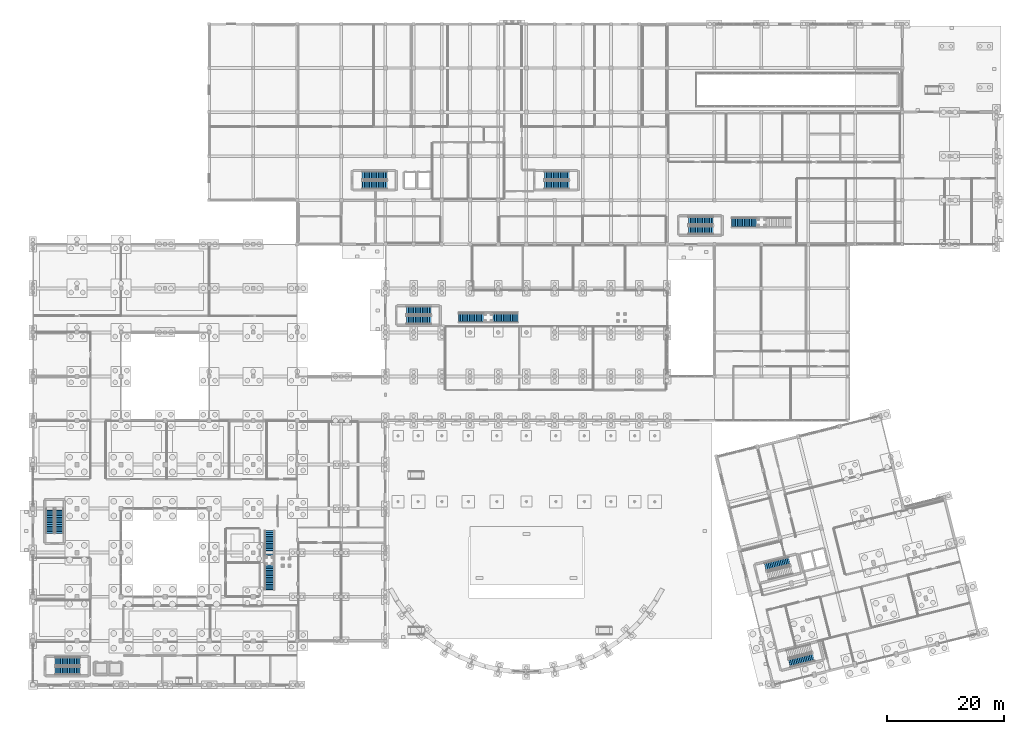
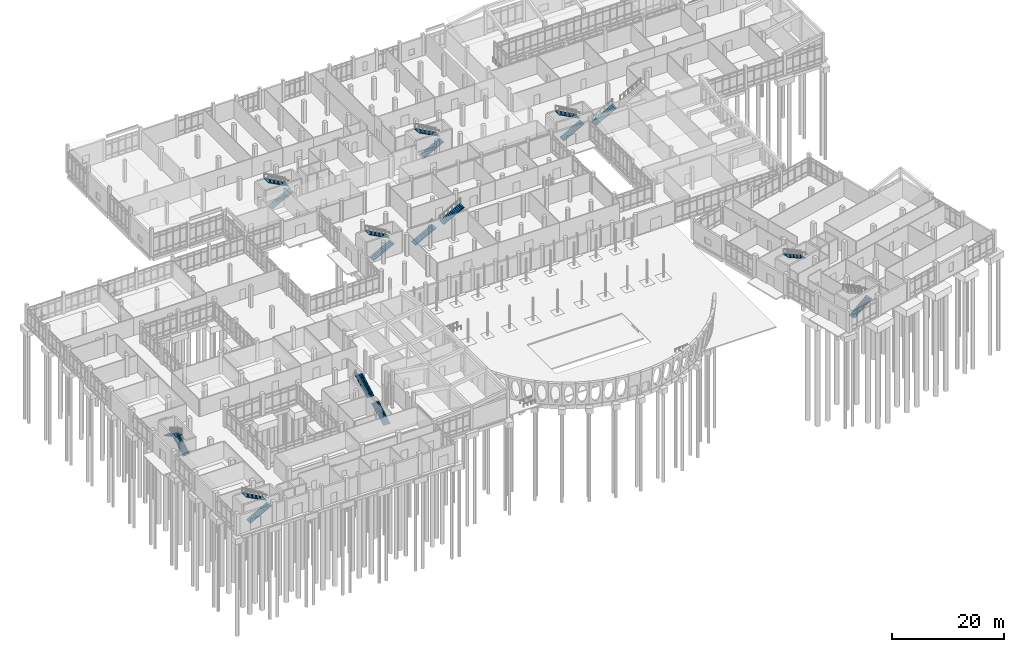
# One storey, part 161 of 173: 19 stair flights, 11 elements without a shape of their own.
"""IFC4 building model written with IfcOpenShell, lengths in metres."""

from ifc_helpers import new_model, si_unit, direction, frame, origin, place, context, subcontext, project, spatial, polyline, outline, extrude, material, layer, layer_set, type_object, element, aggregate, save


model = new_model("IFC4")

# Units and contexts
model_context = context("Model", 3, precision=1e-05, world=origin(), true_north=direction((0.0, 1.0)))
body_context = subcontext(model_context, "Body", "Model", "MODEL_VIEW")
ifc_project = project(units=[si_unit("LENGTHUNIT", "METRE"), si_unit("AREAUNIT", "SQUARE_METRE"), si_unit("VOLUMEUNIT", "CUBIC_METRE"), si_unit("PLANEANGLEUNIT", "RADIAN"), si_unit("MASSUNIT", "GRAM", prefix="KILO")], contexts=[model_context])

# Site, building, storey
site_placement = place(None, origin())
site = spatial("IfcSite", under=ifc_project, at=site_placement, CompositionType="ELEMENT")
building_placement = place(site_placement, origin())
building = spatial("IfcBuilding", under=site, at=building_placement, Name="Mawjan Specialist Oncology Clinic", CompositionType="ELEMENT")
storey_placement = place(building_placement, origin())
storey = spatial("IfcBuildingStorey", under=building, at=storey_placement, Name="L00", CompositionType="ELEMENT", Elevation=0.0)

# Stair, stair flights
ifc_material_1 = material(Name="Concrete C35/45", Category="concrete")
stair_type_1 = type_object("IfcStairType", Name="STR-COMM", PredefinedType="STRAIGHT_RUN_STAIR", material=ifc_material_1)
stair_1_placement = place(storey_placement, origin())
stair_1 = element("IfcStair", 1, at=stair_1_placement, inside=storey, type_object=stair_type_1, Name="Infusion Hall Communicating Stair ST-09", PredefinedType="STRAIGHT_RUN_STAIR")
ifc_material_2 = material(Name="Concrete C35/45", Category="concrete")
ifc_layer_1 = layer(ifc_material_2, 0.159912109375, Name="Concrete C35/45", Category="concrete")
ifc_layer_set_1 = layer_set([ifc_layer_1], Name="Concrete C35/45")
stair_flight_type_1 = type_object("IfcStairFlightType", Name="FLT-COMM", PredefinedType="STRAIGHT", material=ifc_layer_set_1)
stair_flight_1_placement = place(storey_placement, frame((72.5, 63.35009765625, 0.0), z_axis=(0.0, 0.0, 1.0), x_axis=(1.0, 0.0, 0.0)))
stair_flight_1 = element("IfcStairFlight", 2, at=stair_flight_1_placement, type_object=stair_flight_type_1, Name="ST-09 flight 1", NumberOfRisers=15, NumberOfTreads=14, PredefinedType="STRAIGHT", RiserHeight=0.166667, TreadLength=0.3, context=body_context, shape_type="SweptSolid", body=[
    extrude(outline(polyline([(-0.044921875, -0.0400390625), (-0.044921875, 0.0), (0.0, 0.0), (0.0, 0.166748046875), (0.300048828125, 0.166748046875), (0.300048828125, 0.333251953125), (0.60009765625, 0.333251953125), (0.60009765625, 0.5), (0.89990234375, 0.5), (0.89990234375, 0.666748046875), (1.199951171875, 0.666748046875), (1.199951171875, 0.833251953125), (1.5, 0.833251953125), (1.5, 1.0), (1.800048828125, 1.0), (1.800048828125, 1.166748046875), (2.10009765625, 1.166748046875), (2.10009765625, 1.333251953125), (2.39990234375, 1.333251953125), (2.39990234375, 1.5), (2.699951171875, 1.5), (2.699951171875, 1.666748046875), (3.0, 1.666748046875), (3.0, 1.833251953125), (3.300048828125, 1.833251953125), (3.300048828125, 2.0), (3.60009765625, 2.0), (3.60009765625, 2.166748046875), (3.89990234375, 2.166748046875), (3.89990234375, 2.333251953125), (4.199951171875, 2.333251953125), (4.2451171875, 2.333251953125), (4.2451171875, 2.17333984375), (0.044921875, -0.0400390625), (-0.044921875, -0.0400390625)])), frame((0.0, 0.72509765625, 0.0), z_axis=(0.0, -1.0, 0.0), x_axis=(1.0, 0.0, 0.0)), (0.0, 0.0, 1.0), 1.449951171875),
])
stair_flight_2_placement = place(storey_placement, frame((78.300048828125, 63.35009765625, 2.5), z_axis=(0.0, 0.0, 1.0), x_axis=(1.0, 0.0, 0.0)))
stair_flight_2 = element("IfcStairFlight", 3, at=stair_flight_2_placement, type_object=stair_flight_type_1, Name="ST-09 flight 2", NumberOfRisers=15, NumberOfTreads=14, PredefinedType="STRAIGHT", RiserHeight=0.166667, TreadLength=0.3, context=body_context, shape_type="SweptSolid", body=[
    extrude(outline(polyline([(-0.044921875, -0.0400390625), (-0.044921875, 0.0), (0.0, 0.0), (0.0, 0.166748046875), (0.300048828125, 0.166748046875), (0.300048828125, 0.333251953125), (0.60009765625, 0.333251953125), (0.60009765625, 0.5), (0.89990234375, 0.5), (0.89990234375, 0.666748046875), (1.199951171875, 0.666748046875), (1.199951171875, 0.833251953125), (1.5, 0.833251953125), (1.5, 1.0), (1.800048828125, 1.0), (1.800048828125, 1.166748046875), (2.10009765625, 1.166748046875), (2.10009765625, 1.333251953125), (2.39990234375, 1.333251953125), (2.39990234375, 1.5), (2.699951171875, 1.5), (2.699951171875, 1.666748046875), (3.0, 1.666748046875), (3.0, 1.833251953125), (3.300048828125, 1.833251953125), (3.300048828125, 2.0), (3.60009765625, 2.0), (3.60009765625, 2.166748046875), (3.89990234375, 2.166748046875), (3.89990234375, 2.333251953125), (4.199951171875, 2.333251953125), (4.2451171875, 2.333251953125), (4.2451171875, 2.17333984375), (0.044921875, -0.0400390625), (-0.044921875, -0.0400390625)])), frame((0.0, 0.72509765625, 0.0), z_axis=(0.0, -1.0, 0.0), x_axis=(1.0, 0.0, 0.0)), (0.0, 0.0, 1.0), 1.449951171875),
])
aggregate(stair_1, [stair_flight_1, stair_flight_2])

stair_2_placement = place(storey_placement, origin())
stair_2 = element("IfcStair", 4, at=stair_2_placement, inside=storey, type_object=stair_type_1, Name="Outpatient Lobby Communicating Stair ST-10", PredefinedType="STRAIGHT_RUN_STAIR")
stair_flight_3_placement = place(storey_placement, frame((40.199951171875, 17.0, 0.0), z_axis=(0.0, 0.0, 1.0), x_axis=(0.0, 1.0, 0.0)))
stair_flight_3 = element("IfcStairFlight", 5, at=stair_flight_3_placement, type_object=stair_flight_type_1, Name="ST-10 flight 1", NumberOfRisers=15, NumberOfTreads=14, PredefinedType="STRAIGHT", RiserHeight=0.166667, TreadLength=0.3, context=body_context, shape_type="SweptSolid", body=[
    extrude(outline(polyline([(-0.044921875, -0.0400390625), (-0.044921875, 0.0), (0.0, 0.0), (0.0, 0.166748046875), (0.300048828125, 0.166748046875), (0.300048828125, 0.333251953125), (0.60009765625, 0.333251953125), (0.60009765625, 0.5), (0.89990234375, 0.5), (0.89990234375, 0.666748046875), (1.199951171875, 0.666748046875), (1.199951171875, 0.833251953125), (1.5, 0.833251953125), (1.5, 1.0), (1.800048828125, 1.0), (1.800048828125, 1.166748046875), (2.10009765625, 1.166748046875), (2.10009765625, 1.333251953125), (2.39990234375, 1.333251953125), (2.39990234375, 1.5), (2.699951171875, 1.5), (2.699951171875, 1.666748046875), (3.0, 1.666748046875), (3.0, 1.833251953125), (3.300048828125, 1.833251953125), (3.300048828125, 2.0), (3.60009765625, 2.0), (3.60009765625, 2.166748046875), (3.89990234375, 2.166748046875), (3.89990234375, 2.333251953125), (4.199951171875, 2.333251953125), (4.2451171875, 2.333251953125), (4.2451171875, 2.17333984375), (0.044921875, -0.0400390625), (-0.044921875, -0.0400390625)])), frame((0.0, 0.72509765625, 0.0), z_axis=(0.0, -1.0, 0.0), x_axis=(1.0, 0.0, 0.0)), (0.0, 0.0, 1.0), 1.449951171875),
])
stair_flight_4_placement = place(storey_placement, frame((40.199951171875, 22.800048828125, 2.5), z_axis=(0.0, 0.0, 1.0), x_axis=(0.0, 1.0, 0.0)))
stair_flight_4 = element("IfcStairFlight", 6, at=stair_flight_4_placement, type_object=stair_flight_type_1, Name="ST-10 flight 2", NumberOfRisers=15, NumberOfTreads=14, PredefinedType="STRAIGHT", RiserHeight=0.166667, TreadLength=0.3, context=body_context, shape_type="SweptSolid", body=[
    extrude(outline(polyline([(-0.044921875, -0.0400390625), (-0.044921875, 0.0), (0.0, 0.0), (0.0, 0.166748046875), (0.300048828125, 0.166748046875), (0.300048828125, 0.333251953125), (0.60009765625, 0.333251953125), (0.60009765625, 0.5), (0.89990234375, 0.5), (0.89990234375, 0.666748046875), (1.199951171875, 0.666748046875), (1.199951171875, 0.833251953125), (1.5, 0.833251953125), (1.5, 1.0), (1.800048828125, 1.0), (1.800048828125, 1.166748046875), (2.10009765625, 1.166748046875), (2.10009765625, 1.333251953125), (2.39990234375, 1.333251953125), (2.39990234375, 1.5), (2.699951171875, 1.5), (2.699951171875, 1.666748046875), (3.0, 1.666748046875), (3.0, 1.833251953125), (3.300048828125, 1.833251953125), (3.300048828125, 2.0), (3.60009765625, 2.0), (3.60009765625, 2.166748046875), (3.89990234375, 2.166748046875), (3.89990234375, 2.333251953125), (4.199951171875, 2.333251953125), (4.2451171875, 2.333251953125), (4.2451171875, 2.17333984375), (0.044921875, -0.0400390625), (-0.044921875, -0.0400390625)])), frame((0.0, 0.72509765625, 0.0), z_axis=(0.0, -1.0, 0.0), x_axis=(1.0, 0.0, 0.0)), (0.0, 0.0, 1.0), 1.449951171875),
])
aggregate(stair_2, [stair_flight_3, stair_flight_4])

# Stair, stair flight
stair_3_placement = place(storey_placement, origin())
stair_3 = element("IfcStair", 7, at=stair_3_placement, inside=storey, type_object=stair_type_1, Name="Imaging Forum Communicating Stair ST-12", PredefinedType="STRAIGHT_RUN_STAIR")
stair_flight_5_placement = place(storey_placement, frame((119.0, 79.550048828125, 0.0), z_axis=(0.0, 0.0, 1.0), x_axis=(1.0, 0.0, 0.0)))
stair_flight_5 = element("IfcStairFlight", 8, at=stair_flight_5_placement, type_object=stair_flight_type_1, Name="ST-12 flight 1", NumberOfRisers=15, NumberOfTreads=14, PredefinedType="STRAIGHT", RiserHeight=0.166667, TreadLength=0.3, context=body_context, shape_type="SweptSolid", body=[
    extrude(outline(polyline([(-0.044921875, -0.0400390625), (-0.044921875, 0.0), (0.0, 0.0), (0.0, 0.166748046875), (0.300048828125, 0.166748046875), (0.300048828125, 0.333251953125), (0.60009765625, 0.333251953125), (0.60009765625, 0.5), (0.89990234375, 0.5), (0.89990234375, 0.666748046875), (1.199951171875, 0.666748046875), (1.199951171875, 0.833251953125), (1.5, 0.833251953125), (1.5, 1.0), (1.800048828125, 1.0), (1.800048828125, 1.166748046875), (2.10009765625, 1.166748046875), (2.10009765625, 1.333251953125), (2.39990234375, 1.333251953125), (2.39990234375, 1.5), (2.699951171875, 1.5), (2.699951171875, 1.666748046875), (3.0, 1.666748046875), (3.0, 1.833251953125), (3.300048828125, 1.833251953125), (3.300048828125, 2.0), (3.60009765625, 2.0), (3.60009765625, 2.166748046875), (3.89990234375, 2.166748046875), (3.89990234375, 2.333251953125), (4.199951171875, 2.333251953125), (4.2451171875, 2.333251953125), (4.2451171875, 2.17333984375), (0.044921875, -0.0400390625), (-0.044921875, -0.0400390625)])), frame((0.0, 0.72509765625, 0.0), z_axis=(0.0, -1.0, 0.0), x_axis=(1.0, 0.0, 0.0)), (0.0, 0.0, 1.0), 1.449951171875),
])
aggregate(stair_3, [stair_flight_5])

# Stair, stair flights
ifc_material_3 = material(Name="Concrete C35/45", Category="concrete")
stair_type_2 = type_object("IfcStairType", Name="STR-CORE50", PredefinedType="HALF_TURN_STAIR", material=ifc_material_3)
stair_4_placement = place(storey_placement, origin())
stair_4 = element("IfcStair", 9, at=stair_4_placement, inside=storey, type_object=stair_type_2, Name="L00 Exit Stair ST-01", PredefinedType="HALF_TURN_STAIR")
ifc_material_4 = material(Name="Concrete C35/45", Category="concrete")
ifc_layer_2 = layer(ifc_material_4, 0.14990234375, Name="Concrete C35/45", Category="concrete")
ifc_layer_set_2 = layer_set([ifc_layer_2], Name="Concrete C35/45")
stair_flight_type_2 = type_object("IfcStairFlightType", Name="FLT-CORE50", PredefinedType="STRAIGHT", material=ifc_layer_set_2)
stair_flight_6_placement = place(storey_placement, frame((3.800048828125, 3.199951171875, 0.0), z_axis=(0.0, 0.0, 1.0), x_axis=(1.0, 0.0, 0.0)))
stair_flight_6 = element("IfcStairFlight", 10, at=stair_flight_6_placement, type_object=stair_flight_type_2, Name="ST-01 flight 1", NumberOfRisers=15, NumberOfTreads=14, PredefinedType="STRAIGHT", RiserHeight=0.166666667, TreadLength=0.3, context=body_context, shape_type="SweptSolid", body=[
    extrude(outline(polyline([(-0.044921875, -0.0400390625), (-0.044921875, 0.0), (0.0, 0.0), (0.0, 0.166748046875), (0.300048828125, 0.166748046875), (0.300048828125, 0.333251953125), (0.60009765625, 0.333251953125), (0.60009765625, 0.5), (0.89990234375, 0.5), (0.89990234375, 0.666748046875), (1.199951171875, 0.666748046875), (1.199951171875, 0.833251953125), (1.5, 0.833251953125), (1.5, 1.0), (1.800048828125, 1.0), (1.800048828125, 1.166748046875), (2.10009765625, 1.166748046875), (2.10009765625, 1.333251953125), (2.39990234375, 1.333251953125), (2.39990234375, 1.5), (2.699951171875, 1.5), (2.699951171875, 1.666748046875), (3.0, 1.666748046875), (3.0, 1.833251953125), (3.300048828125, 1.833251953125), (3.300048828125, 2.0), (3.60009765625, 2.0), (3.60009765625, 2.166748046875), (3.89990234375, 2.166748046875), (3.89990234375, 2.333251953125), (4.199951171875, 2.333251953125), (4.2451171875, 2.333251953125), (4.2451171875, 2.183349609375), (0.044921875, -0.0400390625), (-0.044921875, -0.0400390625)])), frame((0.0, 0.699951171875, 0.0), z_axis=(0.0, -1.0, 0.0), x_axis=(1.0, 0.0, 0.0)), (0.0, 0.0, 1.0), 1.39990234375),
])
stair_flight_7_placement = place(storey_placement, frame((8.0, 4.800048828125, 2.5), z_axis=(0.0, 0.0, 1.0), x_axis=(-1.0, 0.0, 0.0)))
stair_flight_7 = element("IfcStairFlight", 11, at=stair_flight_7_placement, type_object=stair_flight_type_2, Name="ST-01 flight 2", NumberOfRisers=15, NumberOfTreads=14, PredefinedType="STRAIGHT", RiserHeight=0.166666667, TreadLength=0.3, context=body_context, shape_type="SweptSolid", body=[
    extrude(outline(polyline([(-0.044921875, -0.0400390625), (-0.044921875, 0.0), (0.0, 0.0), (0.0, 0.166748046875), (0.300048828125, 0.166748046875), (0.300048828125, 0.333251953125), (0.60009765625, 0.333251953125), (0.60009765625, 0.5), (0.89990234375, 0.5), (0.89990234375, 0.666748046875), (1.199951171875, 0.666748046875), (1.199951171875, 0.833251953125), (1.5, 0.833251953125), (1.5, 1.0), (1.800048828125, 1.0), (1.800048828125, 1.166748046875), (2.10009765625, 1.166748046875), (2.10009765625, 1.333251953125), (2.39990234375, 1.333251953125), (2.39990234375, 1.5), (2.699951171875, 1.5), (2.699951171875, 1.666748046875), (3.0, 1.666748046875), (3.0, 1.833251953125), (3.300048828125, 1.833251953125), (3.300048828125, 2.0), (3.60009765625, 2.0), (3.60009765625, 2.166748046875), (3.89990234375, 2.166748046875), (3.89990234375, 2.333251953125), (4.199951171875, 2.333251953125), (4.2451171875, 2.333251953125), (4.2451171875, 2.183349609375), (0.044921875, -0.0400390625), (-0.044921875, -0.0400390625)])), frame((0.0, 0.699951171875, 0.0), z_axis=(0.0, -1.0, 0.0), x_axis=(1.0, 0.0, 0.0)), (0.0, 0.0, 1.0), 1.39990234375),
])
aggregate(stair_4, [stair_flight_6, stair_flight_7])

stair_5_placement = place(storey_placement, origin())
stair_5 = element("IfcStair", 12, at=stair_5_placement, inside=storey, type_object=stair_type_2, Name="L00 Exit Stair ST-02", PredefinedType="HALF_TURN_STAIR")
stair_flight_8_placement = place(storey_placement, frame((4.5, 26.60009765625, 0.0), z_axis=(0.0, 0.0, 1.0), x_axis=(0.0, 1.0, 0.0)))
stair_flight_8 = element("IfcStairFlight", 13, at=stair_flight_8_placement, type_object=stair_flight_type_2, Name="ST-02 flight 1", NumberOfRisers=15, NumberOfTreads=14, PredefinedType="STRAIGHT", RiserHeight=0.166666667, TreadLength=0.3, context=body_context, shape_type="SweptSolid", body=[
    extrude(outline(polyline([(-0.044921875, -0.0400390625), (-0.044921875, 0.0), (0.0, 0.0), (0.0, 0.166748046875), (0.300048828125, 0.166748046875), (0.300048828125, 0.333251953125), (0.60009765625, 0.333251953125), (0.60009765625, 0.5), (0.89990234375, 0.5), (0.89990234375, 0.666748046875), (1.199951171875, 0.666748046875), (1.199951171875, 0.833251953125), (1.5, 0.833251953125), (1.5, 1.0), (1.800048828125, 1.0), (1.800048828125, 1.166748046875), (2.10009765625, 1.166748046875), (2.10009765625, 1.333251953125), (2.39990234375, 1.333251953125), (2.39990234375, 1.5), (2.699951171875, 1.5), (2.699951171875, 1.666748046875), (3.0, 1.666748046875), (3.0, 1.833251953125), (3.300048828125, 1.833251953125), (3.300048828125, 2.0), (3.60009765625, 2.0), (3.60009765625, 2.166748046875), (3.89990234375, 2.166748046875), (3.89990234375, 2.333251953125), (4.199951171875, 2.333251953125), (4.2451171875, 2.333251953125), (4.2451171875, 2.183349609375), (0.044921875, -0.0400390625), (-0.044921875, -0.0400390625)])), frame((0.0, 0.699951171875, 0.0), z_axis=(0.0, -1.0, 0.0), x_axis=(1.0, 0.0, 0.0)), (0.0, 0.0, 1.0), 1.39990234375),
])
stair_flight_9_placement = place(storey_placement, frame((2.89990234375, 30.800048828125, 2.5), z_axis=(0.0, 0.0, 1.0), x_axis=(0.0, -1.0, 0.0)))
stair_flight_9 = element("IfcStairFlight", 14, at=stair_flight_9_placement, type_object=stair_flight_type_2, Name="ST-02 flight 2", NumberOfRisers=15, NumberOfTreads=14, PredefinedType="STRAIGHT", RiserHeight=0.166666667, TreadLength=0.3, context=body_context, shape_type="SweptSolid", body=[
    extrude(outline(polyline([(-0.044921875, -0.0400390625), (-0.044921875, 0.0), (0.0, 0.0), (0.0, 0.166748046875), (0.300048828125, 0.166748046875), (0.300048828125, 0.333251953125), (0.60009765625, 0.333251953125), (0.60009765625, 0.5), (0.89990234375, 0.5), (0.89990234375, 0.666748046875), (1.199951171875, 0.666748046875), (1.199951171875, 0.833251953125), (1.5, 0.833251953125), (1.5, 1.0), (1.800048828125, 1.0), (1.800048828125, 1.166748046875), (2.10009765625, 1.166748046875), (2.10009765625, 1.333251953125), (2.39990234375, 1.333251953125), (2.39990234375, 1.5), (2.699951171875, 1.5), (2.699951171875, 1.666748046875), (3.0, 1.666748046875), (3.0, 1.833251953125), (3.300048828125, 1.833251953125), (3.300048828125, 2.0), (3.60009765625, 2.0), (3.60009765625, 2.166748046875), (3.89990234375, 2.166748046875), (3.89990234375, 2.333251953125), (4.199951171875, 2.333251953125), (4.2451171875, 2.333251953125), (4.2451171875, 2.183349609375), (0.044921875, -0.0400390625), (-0.044921875, -0.0400390625)])), frame((0.0, 0.699951171875, 0.0), z_axis=(0.0, -1.0, 0.0), x_axis=(1.0, 0.0, 0.0)), (0.0, 0.0, 1.0), 1.39990234375),
])
aggregate(stair_5, [stair_flight_8, stair_flight_9])

stair_6_placement = place(storey_placement, origin())
stair_6 = element("IfcStair", 15, at=stair_6_placement, inside=storey, type_object=stair_type_2, Name="L00 Exit Stair ST-03", PredefinedType="HALF_TURN_STAIR")
stair_flight_10_placement = place(storey_placement, frame((56.10009765625, 85.89990234375, 0.0), z_axis=(0.0, 0.0, 1.0), x_axis=(1.0, 0.0, 0.0)))
stair_flight_10 = element("IfcStairFlight", 16, at=stair_flight_10_placement, type_object=stair_flight_type_2, Name="ST-03 flight 1", NumberOfRisers=15, NumberOfTreads=14, PredefinedType="STRAIGHT", RiserHeight=0.166666667, TreadLength=0.3, context=body_context, shape_type="SweptSolid", body=[
    extrude(outline(polyline([(-0.044921875, -0.0400390625), (-0.044921875, 0.0), (0.0, 0.0), (0.0, 0.166748046875), (0.300048828125, 0.166748046875), (0.300048828125, 0.333251953125), (0.60009765625, 0.333251953125), (0.60009765625, 0.5), (0.89990234375, 0.5), (0.89990234375, 0.666748046875), (1.199951171875, 0.666748046875), (1.199951171875, 0.833251953125), (1.5, 0.833251953125), (1.5, 1.0), (1.800048828125, 1.0), (1.800048828125, 1.166748046875), (2.10009765625, 1.166748046875), (2.10009765625, 1.333251953125), (2.39990234375, 1.333251953125), (2.39990234375, 1.5), (2.699951171875, 1.5), (2.699951171875, 1.666748046875), (3.0, 1.666748046875), (3.0, 1.833251953125), (3.300048828125, 1.833251953125), (3.300048828125, 2.0), (3.60009765625, 2.0), (3.60009765625, 2.166748046875), (3.89990234375, 2.166748046875), (3.89990234375, 2.333251953125), (4.199951171875, 2.333251953125), (4.2451171875, 2.333251953125), (4.2451171875, 2.183349609375), (0.044921875, -0.0400390625), (-0.044921875, -0.0400390625)])), frame((0.0, 0.699951171875, 0.0), z_axis=(0.0, -1.0, 0.0), x_axis=(1.0, 0.0, 0.0)), (0.0, 0.0, 1.0), 1.39990234375),
])
stair_flight_11_placement = place(storey_placement, frame((60.300048828125, 87.5, 2.5), z_axis=(0.0, 0.0, 1.0), x_axis=(-1.0, 0.0, 0.0)))
stair_flight_11 = element("IfcStairFlight", 17, at=stair_flight_11_placement, type_object=stair_flight_type_2, Name="ST-03 flight 2", NumberOfRisers=15, NumberOfTreads=14, PredefinedType="STRAIGHT", RiserHeight=0.166666667, TreadLength=0.3, context=body_context, shape_type="SweptSolid", body=[
    extrude(outline(polyline([(-0.044921875, -0.0400390625), (-0.044921875, 0.0), (0.0, 0.0), (0.0, 0.166748046875), (0.300048828125, 0.166748046875), (0.300048828125, 0.333251953125), (0.60009765625, 0.333251953125), (0.60009765625, 0.5), (0.89990234375, 0.5), (0.89990234375, 0.666748046875), (1.199951171875, 0.666748046875), (1.199951171875, 0.833251953125), (1.5, 0.833251953125), (1.5, 1.0), (1.800048828125, 1.0), (1.800048828125, 1.166748046875), (2.10009765625, 1.166748046875), (2.10009765625, 1.333251953125), (2.39990234375, 1.333251953125), (2.39990234375, 1.5), (2.699951171875, 1.5), (2.699951171875, 1.666748046875), (3.0, 1.666748046875), (3.0, 1.833251953125), (3.300048828125, 1.833251953125), (3.300048828125, 2.0), (3.60009765625, 2.0), (3.60009765625, 2.166748046875), (3.89990234375, 2.166748046875), (3.89990234375, 2.333251953125), (4.199951171875, 2.333251953125), (4.2451171875, 2.333251953125), (4.2451171875, 2.183349609375), (0.044921875, -0.0400390625), (-0.044921875, -0.0400390625)])), frame((0.0, 0.699951171875, 0.0), z_axis=(0.0, -1.0, 0.0), x_axis=(1.0, 0.0, 0.0)), (0.0, 0.0, 1.0), 1.39990234375),
])
aggregate(stair_6, [stair_flight_10, stair_flight_11])

stair_7_placement = place(storey_placement, origin())
stair_7 = element("IfcStair", 18, at=stair_7_placement, inside=storey, type_object=stair_type_2, Name="L00 Exit Stair ST-04", PredefinedType="HALF_TURN_STAIR")
stair_flight_12_placement = place(storey_placement, frame((87.10009765625, 85.89990234375, 0.0), z_axis=(0.0, 0.0, 1.0), x_axis=(1.0, 0.0, 0.0)))
stair_flight_12 = element("IfcStairFlight", 19, at=stair_flight_12_placement, type_object=stair_flight_type_2, Name="ST-04 flight 1", NumberOfRisers=15, NumberOfTreads=14, PredefinedType="STRAIGHT", RiserHeight=0.166666667, TreadLength=0.3, context=body_context, shape_type="SweptSolid", body=[
    extrude(outline(polyline([(-0.044921875, -0.0400390625), (-0.044921875, 0.0), (0.0, 0.0), (0.0, 0.166748046875), (0.300048828125, 0.166748046875), (0.300048828125, 0.333251953125), (0.60009765625, 0.333251953125), (0.60009765625, 0.5), (0.89990234375, 0.5), (0.89990234375, 0.666748046875), (1.199951171875, 0.666748046875), (1.199951171875, 0.833251953125), (1.5, 0.833251953125), (1.5, 1.0), (1.800048828125, 1.0), (1.800048828125, 1.166748046875), (2.10009765625, 1.166748046875), (2.10009765625, 1.333251953125), (2.39990234375, 1.333251953125), (2.39990234375, 1.5), (2.699951171875, 1.5), (2.699951171875, 1.666748046875), (3.0, 1.666748046875), (3.0, 1.833251953125), (3.300048828125, 1.833251953125), (3.300048828125, 2.0), (3.60009765625, 2.0), (3.60009765625, 2.166748046875), (3.89990234375, 2.166748046875), (3.89990234375, 2.333251953125), (4.199951171875, 2.333251953125), (4.2451171875, 2.333251953125), (4.2451171875, 2.183349609375), (0.044921875, -0.0400390625), (-0.044921875, -0.0400390625)])), frame((0.0, 0.699951171875, 0.0), z_axis=(0.0, -1.0, 0.0), x_axis=(1.0, 0.0, 0.0)), (0.0, 0.0, 1.0), 1.39990234375),
])
stair_flight_13_placement = place(storey_placement, frame((91.300048828125, 87.5, 2.5), z_axis=(0.0, 0.0, 1.0), x_axis=(-1.0, 0.0, 0.0)))
stair_flight_13 = element("IfcStairFlight", 20, at=stair_flight_13_placement, type_object=stair_flight_type_2, Name="ST-04 flight 2", NumberOfRisers=15, NumberOfTreads=14, PredefinedType="STRAIGHT", RiserHeight=0.166666667, TreadLength=0.3, context=body_context, shape_type="SweptSolid", body=[
    extrude(outline(polyline([(-0.044921875, -0.0400390625), (-0.044921875, 0.0), (0.0, 0.0), (0.0, 0.166748046875), (0.300048828125, 0.166748046875), (0.300048828125, 0.333251953125), (0.60009765625, 0.333251953125), (0.60009765625, 0.5), (0.89990234375, 0.5), (0.89990234375, 0.666748046875), (1.199951171875, 0.666748046875), (1.199951171875, 0.833251953125), (1.5, 0.833251953125), (1.5, 1.0), (1.800048828125, 1.0), (1.800048828125, 1.166748046875), (2.10009765625, 1.166748046875), (2.10009765625, 1.333251953125), (2.39990234375, 1.333251953125), (2.39990234375, 1.5), (2.699951171875, 1.5), (2.699951171875, 1.666748046875), (3.0, 1.666748046875), (3.0, 1.833251953125), (3.300048828125, 1.833251953125), (3.300048828125, 2.0), (3.60009765625, 2.0), (3.60009765625, 2.166748046875), (3.89990234375, 2.166748046875), (3.89990234375, 2.333251953125), (4.199951171875, 2.333251953125), (4.2451171875, 2.333251953125), (4.2451171875, 2.183349609375), (0.044921875, -0.0400390625), (-0.044921875, -0.0400390625)])), frame((0.0, 0.699951171875, 0.0), z_axis=(0.0, -1.0, 0.0), x_axis=(1.0, 0.0, 0.0)), (0.0, 0.0, 1.0), 1.39990234375),
])
aggregate(stair_7, [stair_flight_12, stair_flight_13])

# Stair, stair flight
stair_8_placement = place(storey_placement, origin())
stair_8 = element("IfcStair", 21, at=stair_8_placement, inside=storey, type_object=stair_type_2, Name="L00 Exit Stair ST-05", PredefinedType="HALF_TURN_STAIR")
stair_flight_14_placement = place(storey_placement, frame((128.7783203125, 21.89892578125, 2.5), z_axis=(0.0, 0.0, 1.0), x_axis=(-0.970295726276, -0.2419218956, 0.0)))
stair_flight_14 = element("IfcStairFlight", 22, at=stair_flight_14_placement, type_object=stair_flight_type_2, Name="ST-05 flight 2", NumberOfRisers=15, NumberOfTreads=14, PredefinedType="STRAIGHT", RiserHeight=0.166666667, TreadLength=0.3, context=body_context, shape_type="SweptSolid", body=[
    extrude(outline(polyline([(-0.044921875, -0.0400390625), (-0.044921875, 0.0), (0.0, 0.0), (0.0, 0.166748046875), (0.300048828125, 0.166748046875), (0.300048828125, 0.333251953125), (0.60009765625, 0.333251953125), (0.60009765625, 0.5), (0.89990234375, 0.5), (0.89990234375, 0.666748046875), (1.199951171875, 0.666748046875), (1.199951171875, 0.833251953125), (1.5, 0.833251953125), (1.5, 1.0), (1.800048828125, 1.0), (1.800048828125, 1.166748046875), (2.10009765625, 1.166748046875), (2.10009765625, 1.333251953125), (2.39990234375, 1.333251953125), (2.39990234375, 1.5), (2.699951171875, 1.5), (2.699951171875, 1.666748046875), (3.0, 1.666748046875), (3.0, 1.833251953125), (3.300048828125, 1.833251953125), (3.300048828125, 2.0), (3.60009765625, 2.0), (3.60009765625, 2.166748046875), (3.89990234375, 2.166748046875), (3.89990234375, 2.333251953125), (4.199951171875, 2.333251953125), (4.2451171875, 2.333251953125), (4.2451171875, 2.183349609375), (0.044921875, -0.0400390625), (-0.044921875, -0.0400390625)])), frame((0.0, 0.699951171875, 0.0), z_axis=(0.0, -1.0, 0.0), x_axis=(1.0, 0.0, 0.0)), (0.0, 0.0, 1.0), 1.39990234375),
])
aggregate(stair_8, [stair_flight_14])

stair_9_placement = place(storey_placement, origin())
stair_9 = element("IfcStair", 23, at=stair_9_placement, inside=storey, type_object=stair_type_2, Name="L00 Exit Stair ST-06", PredefinedType="HALF_TURN_STAIR")
stair_flight_15_placement = place(storey_placement, frame((128.79150390625, 4.48486328125, 0.0), z_axis=(0.0, 0.0, 1.0), x_axis=(0.970295726276, 0.2419218956, 0.0)))
stair_flight_15 = element("IfcStairFlight", 24, at=stair_flight_15_placement, type_object=stair_flight_type_2, Name="ST-06 flight 1", NumberOfRisers=15, NumberOfTreads=14, PredefinedType="STRAIGHT", RiserHeight=0.166666667, TreadLength=0.3, context=body_context, shape_type="SweptSolid", body=[
    extrude(outline(polyline([(-0.044921875, -0.0400390625), (-0.044921875, 0.0), (0.0, 0.0), (0.0, 0.166748046875), (0.300048828125, 0.166748046875), (0.300048828125, 0.333251953125), (0.60009765625, 0.333251953125), (0.60009765625, 0.5), (0.89990234375, 0.5), (0.89990234375, 0.666748046875), (1.199951171875, 0.666748046875), (1.199951171875, 0.833251953125), (1.5, 0.833251953125), (1.5, 1.0), (1.800048828125, 1.0), (1.800048828125, 1.166748046875), (2.10009765625, 1.166748046875), (2.10009765625, 1.333251953125), (2.39990234375, 1.333251953125), (2.39990234375, 1.5), (2.699951171875, 1.5), (2.699951171875, 1.666748046875), (3.0, 1.666748046875), (3.0, 1.833251953125), (3.300048828125, 1.833251953125), (3.300048828125, 2.0), (3.60009765625, 2.0), (3.60009765625, 2.166748046875), (3.89990234375, 2.166748046875), (3.89990234375, 2.333251953125), (4.199951171875, 2.333251953125), (4.2451171875, 2.333251953125), (4.2451171875, 2.183349609375), (0.044921875, -0.0400390625), (-0.044921875, -0.0400390625)])), frame((0.0, 0.699951171875, 0.0), z_axis=(0.0, -1.0, 0.0), x_axis=(1.0, 0.0, 0.0)), (0.0, 0.0, 1.0), 1.39990234375),
])
aggregate(stair_9, [stair_flight_15])

# Stair, stair flights
stair_10_placement = place(storey_placement, origin())
stair_10 = element("IfcStair", 25, at=stair_10_placement, inside=storey, type_object=stair_type_2, Name="L00 Exit Stair ST-07", PredefinedType="HALF_TURN_STAIR")
stair_flight_16_placement = place(storey_placement, frame((63.60009765625, 62.89990234375, 0.0), z_axis=(0.0, 0.0, 1.0), x_axis=(1.0, 0.0, 0.0)))
stair_flight_16 = element("IfcStairFlight", 26, at=stair_flight_16_placement, type_object=stair_flight_type_2, Name="ST-07 flight 1", NumberOfRisers=15, NumberOfTreads=14, PredefinedType="STRAIGHT", RiserHeight=0.166666667, TreadLength=0.3, context=body_context, shape_type="SweptSolid", body=[
    extrude(outline(polyline([(-0.044921875, -0.0400390625), (-0.044921875, 0.0), (0.0, 0.0), (0.0, 0.166748046875), (0.300048828125, 0.166748046875), (0.300048828125, 0.333251953125), (0.60009765625, 0.333251953125), (0.60009765625, 0.5), (0.89990234375, 0.5), (0.89990234375, 0.666748046875), (1.199951171875, 0.666748046875), (1.199951171875, 0.833251953125), (1.5, 0.833251953125), (1.5, 1.0), (1.800048828125, 1.0), (1.800048828125, 1.166748046875), (2.10009765625, 1.166748046875), (2.10009765625, 1.333251953125), (2.39990234375, 1.333251953125), (2.39990234375, 1.5), (2.699951171875, 1.5), (2.699951171875, 1.666748046875), (3.0, 1.666748046875), (3.0, 1.833251953125), (3.300048828125, 1.833251953125), (3.300048828125, 2.0), (3.60009765625, 2.0), (3.60009765625, 2.166748046875), (3.89990234375, 2.166748046875), (3.89990234375, 2.333251953125), (4.199951171875, 2.333251953125), (4.2451171875, 2.333251953125), (4.2451171875, 2.183349609375), (0.044921875, -0.0400390625), (-0.044921875, -0.0400390625)])), frame((0.0, 0.699951171875, 0.0), z_axis=(0.0, -1.0, 0.0), x_axis=(1.0, 0.0, 0.0)), (0.0, 0.0, 1.0), 1.39990234375),
])
stair_flight_17_placement = place(storey_placement, frame((67.800048828125, 64.5, 2.5), z_axis=(0.0, 0.0, 1.0), x_axis=(-1.0, 0.0, 0.0)))
stair_flight_17 = element("IfcStairFlight", 27, at=stair_flight_17_placement, type_object=stair_flight_type_2, Name="ST-07 flight 2", NumberOfRisers=15, NumberOfTreads=14, PredefinedType="STRAIGHT", RiserHeight=0.166666667, TreadLength=0.3, context=body_context, shape_type="SweptSolid", body=[
    extrude(outline(polyline([(-0.044921875, -0.0400390625), (-0.044921875, 0.0), (0.0, 0.0), (0.0, 0.166748046875), (0.300048828125, 0.166748046875), (0.300048828125, 0.333251953125), (0.60009765625, 0.333251953125), (0.60009765625, 0.5), (0.89990234375, 0.5), (0.89990234375, 0.666748046875), (1.199951171875, 0.666748046875), (1.199951171875, 0.833251953125), (1.5, 0.833251953125), (1.5, 1.0), (1.800048828125, 1.0), (1.800048828125, 1.166748046875), (2.10009765625, 1.166748046875), (2.10009765625, 1.333251953125), (2.39990234375, 1.333251953125), (2.39990234375, 1.5), (2.699951171875, 1.5), (2.699951171875, 1.666748046875), (3.0, 1.666748046875), (3.0, 1.833251953125), (3.300048828125, 1.833251953125), (3.300048828125, 2.0), (3.60009765625, 2.0), (3.60009765625, 2.166748046875), (3.89990234375, 2.166748046875), (3.89990234375, 2.333251953125), (4.199951171875, 2.333251953125), (4.2451171875, 2.333251953125), (4.2451171875, 2.183349609375), (0.044921875, -0.0400390625), (-0.044921875, -0.0400390625)])), frame((0.0, 0.699951171875, 0.0), z_axis=(0.0, -1.0, 0.0), x_axis=(1.0, 0.0, 0.0)), (0.0, 0.0, 1.0), 1.39990234375),
])
aggregate(stair_10, [stair_flight_16, stair_flight_17])

stair_11_placement = place(storey_placement, origin())
stair_11 = element("IfcStair", 28, at=stair_11_placement, inside=storey, type_object=stair_type_2, Name="L00 Exit Stair ST-08", PredefinedType="HALF_TURN_STAIR")
stair_flight_18_placement = place(storey_placement, frame((111.60009765625, 78.199951171875, 0.0), z_axis=(0.0, 0.0, 1.0), x_axis=(1.0, 0.0, 0.0)))
stair_flight_18 = element("IfcStairFlight", 29, at=stair_flight_18_placement, type_object=stair_flight_type_2, Name="ST-08 flight 1", NumberOfRisers=15, NumberOfTreads=14, PredefinedType="STRAIGHT", RiserHeight=0.166666667, TreadLength=0.3, context=body_context, shape_type="SweptSolid", body=[
    extrude(outline(polyline([(-0.044921875, -0.0400390625), (-0.044921875, 0.0), (0.0, 0.0), (0.0, 0.166748046875), (0.300048828125, 0.166748046875), (0.300048828125, 0.333251953125), (0.60009765625, 0.333251953125), (0.60009765625, 0.5), (0.89990234375, 0.5), (0.89990234375, 0.666748046875), (1.199951171875, 0.666748046875), (1.199951171875, 0.833251953125), (1.5, 0.833251953125), (1.5, 1.0), (1.800048828125, 1.0), (1.800048828125, 1.166748046875), (2.10009765625, 1.166748046875), (2.10009765625, 1.333251953125), (2.39990234375, 1.333251953125), (2.39990234375, 1.5), (2.699951171875, 1.5), (2.699951171875, 1.666748046875), (3.0, 1.666748046875), (3.0, 1.833251953125), (3.300048828125, 1.833251953125), (3.300048828125, 2.0), (3.60009765625, 2.0), (3.60009765625, 2.166748046875), (3.89990234375, 2.166748046875), (3.89990234375, 2.333251953125), (4.199951171875, 2.333251953125), (4.2451171875, 2.333251953125), (4.2451171875, 2.183349609375), (0.044921875, -0.0400390625), (-0.044921875, -0.0400390625)])), frame((0.0, 0.699951171875, 0.0), z_axis=(0.0, -1.0, 0.0), x_axis=(1.0, 0.0, 0.0)), (0.0, 0.0, 1.0), 1.39990234375),
])
stair_flight_19_placement = place(storey_placement, frame((115.800048828125, 79.800048828125, 2.5), z_axis=(0.0, 0.0, 1.0), x_axis=(-1.0, 0.0, 0.0)))
stair_flight_19 = element("IfcStairFlight", 30, at=stair_flight_19_placement, type_object=stair_flight_type_2, Name="ST-08 flight 2", NumberOfRisers=15, NumberOfTreads=14, PredefinedType="STRAIGHT", RiserHeight=0.166666667, TreadLength=0.3, context=body_context, shape_type="SweptSolid", body=[
    extrude(outline(polyline([(-0.044921875, -0.0400390625), (-0.044921875, 0.0), (0.0, 0.0), (0.0, 0.166748046875), (0.300048828125, 0.166748046875), (0.300048828125, 0.333251953125), (0.60009765625, 0.333251953125), (0.60009765625, 0.5), (0.89990234375, 0.5), (0.89990234375, 0.666748046875), (1.199951171875, 0.666748046875), (1.199951171875, 0.833251953125), (1.5, 0.833251953125), (1.5, 1.0), (1.800048828125, 1.0), (1.800048828125, 1.166748046875), (2.10009765625, 1.166748046875), (2.10009765625, 1.333251953125), (2.39990234375, 1.333251953125), (2.39990234375, 1.5), (2.699951171875, 1.5), (2.699951171875, 1.666748046875), (3.0, 1.666748046875), (3.0, 1.833251953125), (3.300048828125, 1.833251953125), (3.300048828125, 2.0), (3.60009765625, 2.0), (3.60009765625, 2.166748046875), (3.89990234375, 2.166748046875), (3.89990234375, 2.333251953125), (4.199951171875, 2.333251953125), (4.2451171875, 2.333251953125), (4.2451171875, 2.183349609375), (0.044921875, -0.0400390625), (-0.044921875, -0.0400390625)])), frame((0.0, 0.699951171875, 0.0), z_axis=(0.0, -1.0, 0.0), x_axis=(1.0, 0.0, 0.0)), (0.0, 0.0, 1.0), 1.39990234375),
])
aggregate(stair_11, [stair_flight_18, stair_flight_19])

save(model, "model.ifc")
